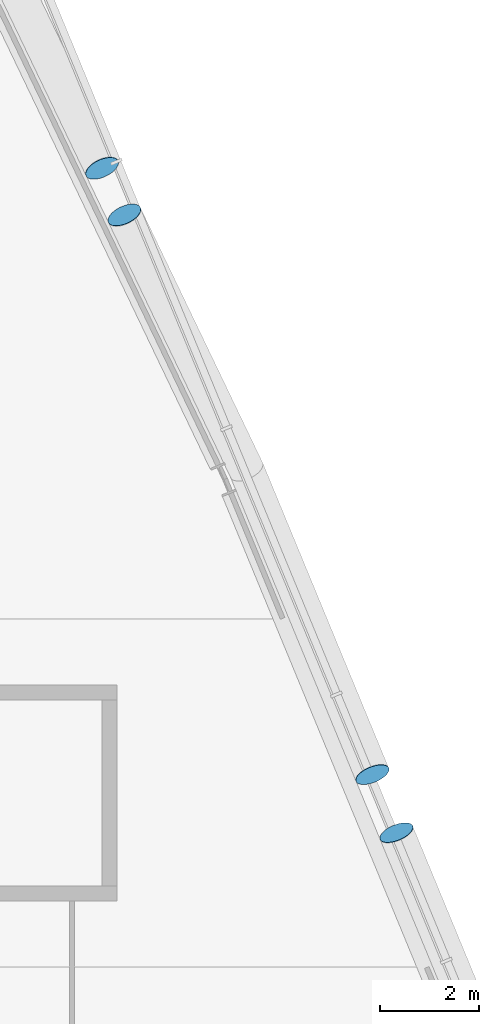
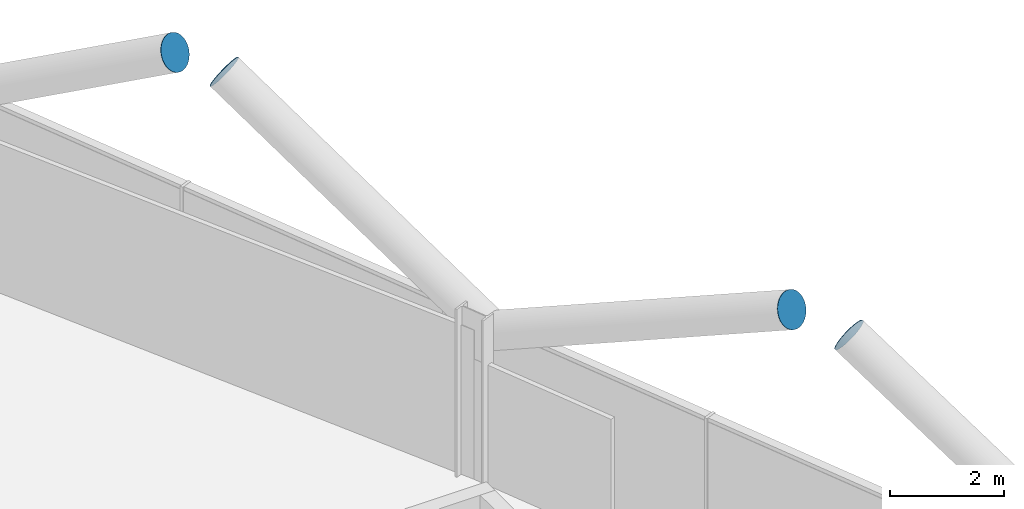
# One storey, part 26 of 29: 4 discrete accessories.
"""IFC4 building model written with IfcOpenShell, lengths in metres."""

from ifc_helpers import new_model, si_unit, direction, frame, origin, origin_2d, place, context, subcontext, project, spatial, circle, extrude, material, material_profile, profile_set, type_object, element, save


model = new_model("IFC4")

# Units and contexts
model_context = context("Model", 3, precision=1e-05, world=origin(), true_north=direction((0.0, 1.0)))
body_context = subcontext(model_context, "Body", "Model", "MODEL_VIEW")
ifc_project = project(units=[si_unit("LENGTHUNIT", "METRE"), si_unit("AREAUNIT", "SQUARE_METRE"), si_unit("VOLUMEUNIT", "CUBIC_METRE"), si_unit("PLANEANGLEUNIT", "RADIAN"), si_unit("MASSUNIT", "GRAM", prefix="KILO")], contexts=[model_context])

# Site, building, storey
site_placement = place(None, origin())
site = spatial("IfcSite", under=ifc_project, at=site_placement, CompositionType="ELEMENT")
building_placement = place(site_placement, origin())
building = spatial("IfcBuilding", under=site, at=building_placement, Name="Wharfspan Tower", CompositionType="ELEMENT")
storey_placement = place(building_placement, frame((0.0, 0.0, 155.5)))
storey = spatial("IfcBuildingStorey", under=building, at=storey_placement, Name="L37", CompositionType="ELEMENT", Elevation=155.5)

# Discrete accessories
ifc_material = material(Name="Steel S460NH", Category="steel")
ifc_material_profile = material_profile(ifc_material, circle(Radius=0.355469, at=origin_2d()))
ifc_profile_set = profile_set([ifc_material_profile], Name="Steel S460NH")
discrete_accessory_type = type_object("IfcDiscreteAccessoryType", Name="End plate CHS 711x36", PredefinedType="BRACKET", material=ifc_profile_set)
for number, where, z_axis, x_axis, name in (
    (1, (77.343018, 23.091309, 6.18335), (-0.341972, 0.830504, 0.439679), (-0.924678, -0.380749, -1e-06), "End plate CHS 711x36"),
    (2, (76.854248, 24.275146, 6.18335), (0.341972, -0.830504, 0.439679), (0.924678, 0.380749, -1e-06), "End plate CHS 711x36"),
    (3, (71.858154, 35.550537, 6.194336), (-0.369386, 0.788024, 0.492515), (-0.905459, -0.424433, -1e-06), "End plate CHS 711x36"),
    (4, (71.401123, 36.504395, 6.194336), (0.369386, -0.788024, 0.492515), (0.905459, 0.424433, -1e-06), "End plate CHS 711x36"),
):
    element("IfcDiscreteAccessory", number, at=place(storey_placement, frame(where, z_axis=z_axis, x_axis=x_axis)), inside=storey, type_object=discrete_accessory_type, Name=name, PredefinedType="BRACKET", context=body_context, shape_type="SweptSolid", body=[
        extrude(circle(Radius=0.355469, at=origin_2d()), origin(), (0.0, 0.0, 1.0), 0.01001),
    ])

save(model, "model.ifc")
